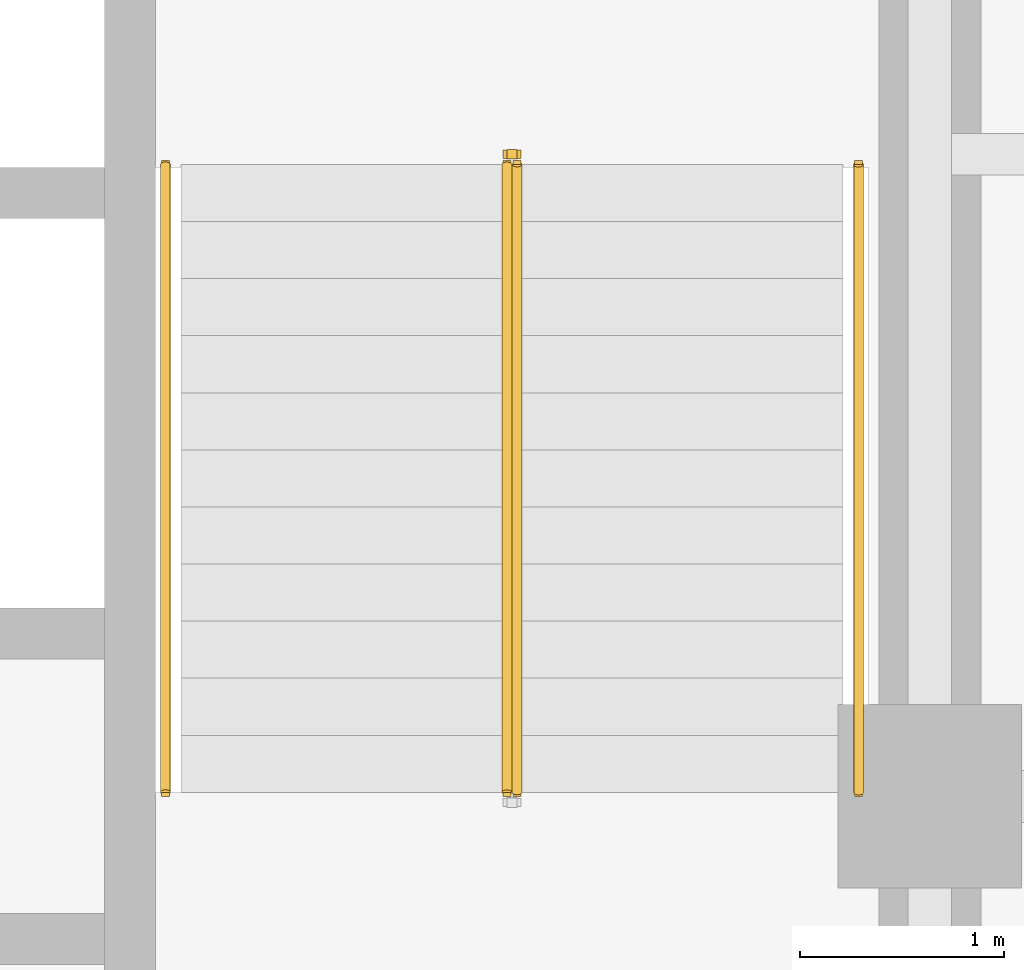
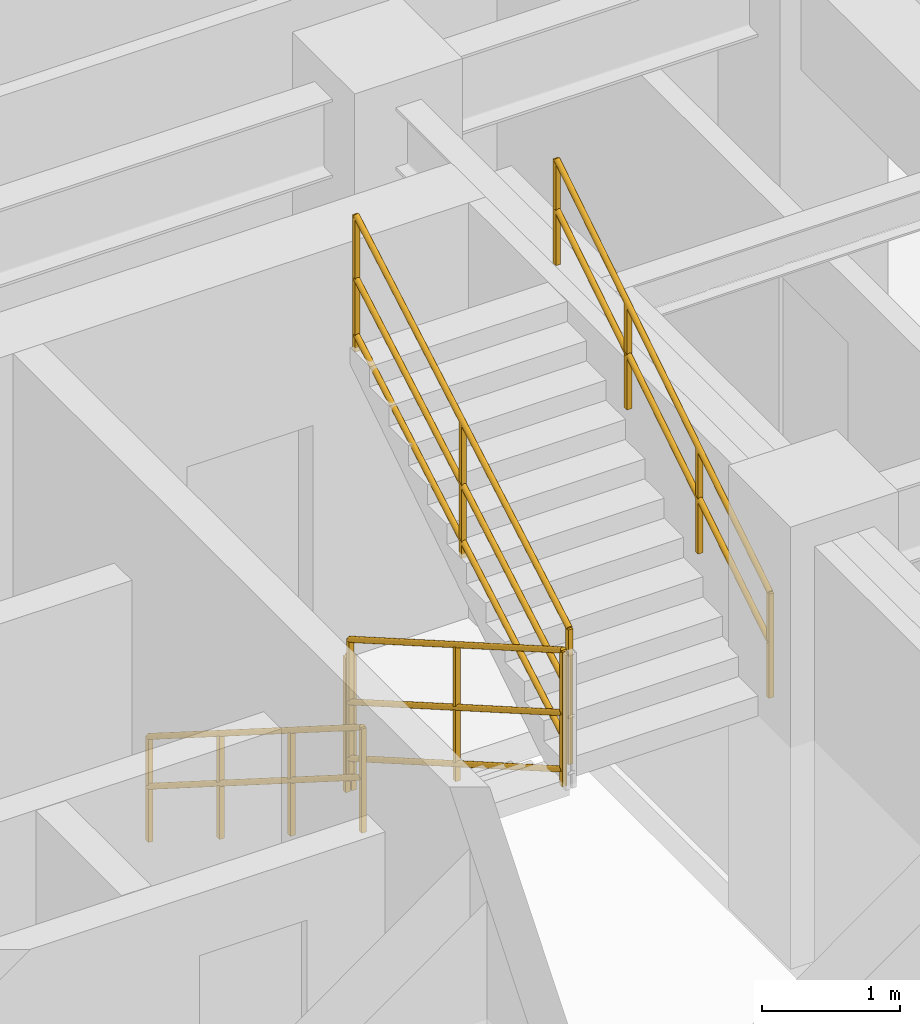
# One storey, part 10 of 11: 5 railings.
"""IFC4 building model written with IfcOpenShell, lengths in metres."""

from ifc_helpers import new_model, entity, si_unit, converted_unit, direction, frame, origin_with_axes, origin_2d_with_axis, place, context, subcontext, project, spatial, rectangle, circle, extrude, material, type_object, element, save


model = new_model("IFC4")

# Units and contexts
model_context = context("Model", 3, precision=1e-05, world=origin_with_axes(), true_north=direction((0.0, 1.0)))
body_context = subcontext(model_context, "Body", "Model", "MODEL_VIEW")
ifc_project = project(units=[si_unit("LENGTHUNIT", "METRE"), si_unit("AREAUNIT", "SQUARE_METRE"), si_unit("VOLUMEUNIT", "CUBIC_METRE"), converted_unit("PLANEANGLEUNIT", "DEGREE", entity("IfcPlaneAngleMeasure", 0.017453292519943295), si_unit("PLANEANGLEUNIT", "RADIAN"), dimensions=[0, 0, 0, 0, 0, 0, 0]), si_unit("MASSUNIT", "GRAM", prefix="KILO"), si_unit("THERMODYNAMICTEMPERATUREUNIT", "KELVIN")], contexts=[model_context])

# Site, building, storey
site_placement = place(None, origin_with_axes())
site = spatial("IfcSite", under=ifc_project, at=site_placement, CompositionType="ELEMENT")
building_placement = place(site_placement, origin_with_axes())
building = spatial("IfcBuilding", under=site, at=building_placement, Name="Varnlund Millrace Tower", CompositionType="ELEMENT")
storey_placement = place(building_placement, frame((0.0, 0.0, 192.6), z_axis=(0.0, 0.0, 1.0), x_axis=(1.0, 0.0, 0.0)))
storey = spatial("IfcBuildingStorey", under=building, at=storey_placement, Name="L47", CompositionType="ELEMENT", Elevation=192.6)

# Railings
ifc_material_1 = material(Name="Painted steel stair well balustrade guard", Category="steel")
railing_type_1 = type_object("IfcRailingType", Name="Type-StairGuard-1150", PredefinedType="GUARDRAIL", material=ifc_material_1)
railing_1_placement = place(storey_placement, frame((0.0, 0.0, -192.6), z_axis=(0.0, 0.0, 1.0), x_axis=(1.0, 0.0, 0.0)))
element("IfcRailing", 1, at=railing_1_placement, inside=storey, type_object=railing_type_1, Name="Type-StairGuard-1150", PredefinedType="GUARDRAIL", context=body_context, shape_type="SweptSolid", body=[
    extrude(circle(Radius=0.024, at=origin_2d_with_axis()), frame((45.975, 21.1, 193.927273), z_axis=(0.0, -0.866696, 0.498836), x_axis=(1.0, 0.0, 0.0)), (0.0, 0.0, 1.0), 3.553725),
    extrude(circle(Radius=0.024, at=origin_2d_with_axis()), frame((45.975, 21.1, 192.877273), z_axis=(0.0, -0.866696, 0.498836), x_axis=(1.0, 0.0, 0.0)), (0.0, 0.0, 1.0), 3.553725),
    extrude(circle(Radius=0.024, at=origin_2d_with_axis()), frame((45.975, 21.1, 193.375273), z_axis=(0.0, -0.866696, 0.498836), x_axis=(1.0, 0.0, 0.0)), (0.0, 0.0, 1.0), 3.553725),
    extrude(rectangle(XDim=0.04, YDim=0.04, at=origin_2d_with_axis()), frame((45.975, 21.1, 192.737273), z_axis=(0.0, 0.0, 1.0), x_axis=(1.0, 0.0, 0.0)), (0.0, 0.0, 1.0), 1.19),
    extrude(rectangle(XDim=0.04, YDim=0.04, at=origin_2d_with_axis()), frame((45.975, 19.56, 193.623636), z_axis=(0.0, 0.0, 1.0), x_axis=(1.0, 0.0, 0.0)), (0.0, 0.0, 1.0), 1.19),
    extrude(rectangle(XDim=0.04, YDim=0.04, at=origin_2d_with_axis()), frame((45.975, 18.02, 194.51), z_axis=(0.0, 0.0, 1.0), x_axis=(1.0, 0.0, 0.0)), (0.0, 0.0, 1.0), 1.19),
])
railing_2_placement = place(storey_placement, frame((0.0, 0.0, -192.6), z_axis=(0.0, 0.0, 1.0), x_axis=(1.0, 0.0, 0.0)))
element("IfcRailing", 2, at=railing_2_placement, inside=storey, type_object=railing_type_1, Name="Type-StairGuard-1150", PredefinedType="GUARDRAIL", context=body_context, shape_type="SweptSolid", body=[
    extrude(circle(Radius=0.024, at=origin_2d_with_axis()), frame((46.025, 18.02, 195.877273), z_axis=(0.0, 0.866696, 0.498836), x_axis=(-1.0, 0.0, 0.0)), (0.0, 0.0, 1.0), 3.553725),
    extrude(circle(Radius=0.024, at=origin_2d_with_axis()), frame((46.025, 18.02, 194.827273), z_axis=(0.0, 0.866696, 0.498836), x_axis=(-1.0, 0.0, 0.0)), (0.0, 0.0, 1.0), 3.553725),
    extrude(circle(Radius=0.024, at=origin_2d_with_axis()), frame((46.025, 18.02, 195.325273), z_axis=(0.0, 0.866696, 0.498836), x_axis=(-1.0, 0.0, 0.0)), (0.0, 0.0, 1.0), 3.553725),
    extrude(rectangle(XDim=0.04, YDim=0.04, at=origin_2d_with_axis()), frame((46.025, 18.02, 194.687273), z_axis=(0.0, 0.0, 1.0), x_axis=(1.0, 0.0, 0.0)), (0.0, 0.0, 1.0), 1.19),
    extrude(rectangle(XDim=0.04, YDim=0.04, at=origin_2d_with_axis()), frame((46.025, 19.56, 195.573636), z_axis=(0.0, 0.0, 1.0), x_axis=(1.0, 0.0, 0.0)), (0.0, 0.0, 1.0), 1.19),
    extrude(rectangle(XDim=0.04, YDim=0.04, at=origin_2d_with_axis()), frame((46.025, 21.1, 196.46), z_axis=(0.0, 0.0, 1.0), x_axis=(1.0, 0.0, 0.0)), (0.0, 0.0, 1.0), 1.19),
])
railing_3_placement = place(storey_placement, frame((0.0, 0.0, -192.6), z_axis=(0.0, 0.0, 1.0), x_axis=(1.0, 0.0, 0.0)))
element("IfcRailing", 3, at=railing_3_placement, inside=storey, type_object=railing_type_1, Name="Type-StairGuard-1150", PredefinedType="GUARDRAIL", context=body_context, shape_type="SweptSolid", body=[
    extrude(circle(Radius=0.024, at=origin_2d_with_axis()), frame((46.025, 21.15, 193.75), z_axis=(-1.0, 0.0, 0.0), x_axis=(0.0, -1.0, 0.0)), (0.0, 0.0, 1.0), 0.05),
    extrude(circle(Radius=0.024, at=origin_2d_with_axis()), frame((46.025, 21.15, 192.7), z_axis=(-1.0, 0.0, 0.0), x_axis=(0.0, -1.0, 0.0)), (0.0, 0.0, 1.0), 0.05),
    extrude(circle(Radius=0.024, at=origin_2d_with_axis()), frame((46.025, 21.15, 193.198), z_axis=(-1.0, 0.0, 0.0), x_axis=(0.0, -1.0, 0.0)), (0.0, 0.0, 1.0), 0.05),
    extrude(rectangle(XDim=0.04, YDim=0.04, at=origin_2d_with_axis()), frame((46.025, 21.15, 192.56), z_axis=(0.0, 0.0, 1.0), x_axis=(1.0, 0.0, 0.0)), (0.0, 0.0, 1.0), 1.19),
    extrude(rectangle(XDim=0.04, YDim=0.04, at=origin_2d_with_axis()), frame((45.975, 21.15, 192.56), z_axis=(0.0, 0.0, 1.0), x_axis=(1.0, 0.0, 0.0)), (0.0, 0.0, 1.0), 1.19),
])
ifc_material_2 = material(Name="Brushed architectural bronze stair handrail", Category="aluminium")
railing_type_2 = type_object("IfcRailingType", Name="Type-StairHandrail-900", PredefinedType="HANDRAIL", material=ifc_material_2)
railing_4_placement = place(storey_placement, frame((0.0, 0.0, -192.6), z_axis=(0.0, 0.0, 1.0), x_axis=(1.0, 0.0, 0.0)))
element("IfcRailing", 4, at=railing_4_placement, inside=storey, type_object=railing_type_2, Name="Type-StairHandrail-900", PredefinedType="HANDRAIL", context=body_context, shape_type="SweptSolid", body=[
    extrude(circle(Radius=0.024, at=origin_2d_with_axis()), frame((44.3, 21.1, 193.656995), z_axis=(0.0, -0.844902, 0.534922), x_axis=(1.0, 0.0, 0.0)), (0.0, 0.0, 1.0), 3.645394),
    extrude(circle(Radius=0.024, at=origin_2d_with_axis()), frame((44.3, 21.1, 193.217134), z_axis=(0.0, -0.844902, 0.534922), x_axis=(1.0, 0.0, 0.0)), (0.0, 0.0, 1.0), 3.645394),
    extrude(rectangle(XDim=0.04, YDim=0.04, at=origin_2d_with_axis()), frame((44.3, 21.1, 192.737273), z_axis=(0.0, 0.0, 1.0), x_axis=(1.0, 0.0, 0.0)), (0.0, 0.0, 1.0), 0.919722),
    extrude(rectangle(XDim=0.04, YDim=0.04, at=origin_2d_with_axis()), frame((44.3, 20.073333, 193.387273), z_axis=(0.0, 0.0, 1.0), x_axis=(1.0, 0.0, 0.0)), (0.0, 0.0, 1.0), 0.919722),
    extrude(rectangle(XDim=0.04, YDim=0.04, at=origin_2d_with_axis()), frame((44.3, 19.046667, 194.037273), z_axis=(0.0, 0.0, 1.0), x_axis=(1.0, 0.0, 0.0)), (0.0, 0.0, 1.0), 0.919722),
    extrude(rectangle(XDim=0.04, YDim=0.04, at=origin_2d_with_axis()), frame((44.3, 18.02, 194.687273), z_axis=(0.0, 0.0, 1.0), x_axis=(1.0, 0.0, 0.0)), (0.0, 0.0, 1.0), 0.919722),
])
railing_5_placement = place(storey_placement, frame((0.0, 0.0, -192.6), z_axis=(0.0, 0.0, 1.0), x_axis=(1.0, 0.0, 0.0)))
element("IfcRailing", 5, at=railing_5_placement, inside=storey, type_object=railing_type_2, Name="Type-StairHandrail-900", PredefinedType="HANDRAIL", context=body_context, shape_type="SweptSolid", body=[
    extrude(circle(Radius=0.024, at=origin_2d_with_axis()), frame((47.7, 18.02, 195.606995), z_axis=(0.0, 0.844902, 0.534922), x_axis=(-1.0, 0.0, 0.0)), (0.0, 0.0, 1.0), 3.645394),
    extrude(circle(Radius=0.024, at=origin_2d_with_axis()), frame((47.7, 18.02, 195.167134), z_axis=(0.0, 0.844902, 0.534922), x_axis=(-1.0, 0.0, 0.0)), (0.0, 0.0, 1.0), 3.645394),
    extrude(rectangle(XDim=0.04, YDim=0.04, at=origin_2d_with_axis()), frame((47.7, 18.02, 194.687273), z_axis=(0.0, 0.0, 1.0), x_axis=(1.0, 0.0, 0.0)), (0.0, 0.0, 1.0), 0.919722),
    extrude(rectangle(XDim=0.04, YDim=0.04, at=origin_2d_with_axis()), frame((47.7, 19.046667, 195.337273), z_axis=(0.0, 0.0, 1.0), x_axis=(1.0, 0.0, 0.0)), (0.0, 0.0, 1.0), 0.919722),
    extrude(rectangle(XDim=0.04, YDim=0.04, at=origin_2d_with_axis()), frame((47.7, 20.073333, 195.987273), z_axis=(0.0, 0.0, 1.0), x_axis=(1.0, 0.0, 0.0)), (0.0, 0.0, 1.0), 0.919722),
    extrude(rectangle(XDim=0.04, YDim=0.04, at=origin_2d_with_axis()), frame((47.7, 21.1, 196.637273), z_axis=(0.0, 0.0, 1.0), x_axis=(1.0, 0.0, 0.0)), (0.0, 0.0, 1.0), 0.919722),
])

save(model, "model.ifc")
